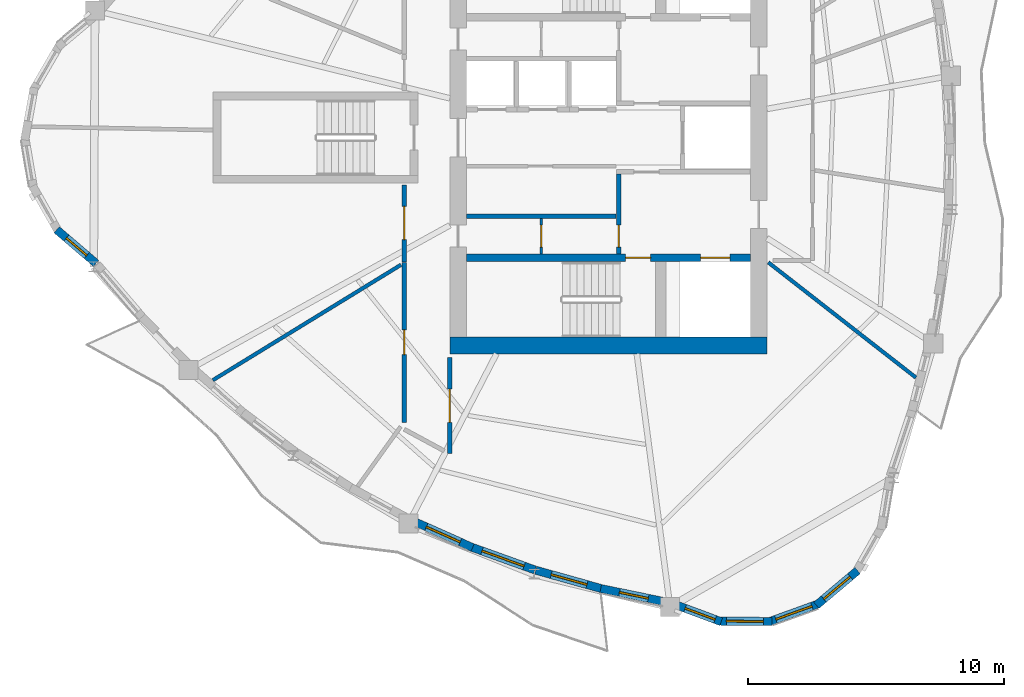
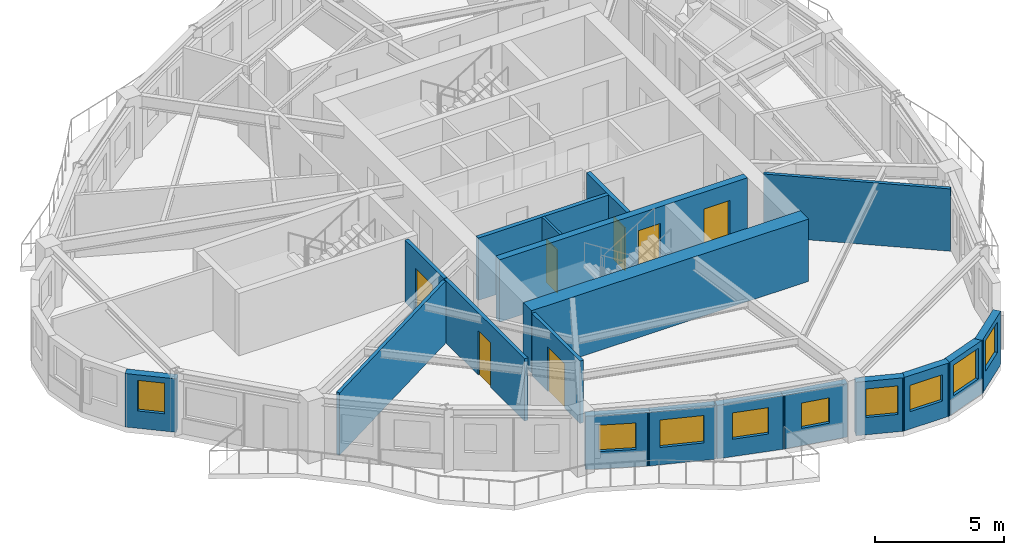
# One storey, part 3 of 12: 19 walls, 9 windows, 7 doors, 16 openings.
"""IFC4 building model written with IfcOpenShell, lengths in metres."""

from ifc_helpers import new_model, si_unit, direction, frame, frame_2d, origin, place, context, subcontext, project, spatial, rectangle, extrude, source, transform, mapped, material, layer, layer_set, type_object, element, fill, save


model = new_model("IFC4")

# Units and contexts
model_context = context("Model", 3, precision=1e-05, world=origin(), true_north=direction((0.0, 1.0)))
body_context = subcontext(model_context, "Body", "Model", "MODEL_VIEW")
ifc_project = project(units=[si_unit("LENGTHUNIT", "METRE"), si_unit("AREAUNIT", "SQUARE_METRE"), si_unit("VOLUMEUNIT", "CUBIC_METRE"), si_unit("PLANEANGLEUNIT", "RADIAN"), si_unit("MASSUNIT", "GRAM", prefix="KILO")], contexts=[model_context])

# Site, building, storey
site_placement = place(None, origin())
site = spatial("IfcSite", under=ifc_project, at=site_placement, CompositionType="ELEMENT")
building_placement = place(site_placement, origin())
building = spatial("IfcBuilding", under=site, at=building_placement, Name="Qafzar Sky-Pleat Residences", CompositionType="ELEMENT")
storey_placement = place(building_placement, frame((0.0, 0.0, 177.800048828125)))
storey = spatial("IfcBuildingStorey", under=building, at=storey_placement, Name="L53", CompositionType="ELEMENT", Elevation=177.800048828125)

# Wall, opening, door
ifc_material_1 = material(Name="Acoustic gypsum plasterboard partition", Category="gypsum")
ifc_layer_1 = layer(ifc_material_1, 0.159912109375)
ifc_layer_set_1 = layer_set([ifc_layer_1], Name="Acoustic gypsum plasterboard partition")
wall_type_1 = type_object("IfcWallType", Name="PART-COR-160", PredefinedType="PARTITIONING", material=ifc_layer_set_1)
wall_1_placement = place(storey_placement, frame((22.3701171875, 14.87109375, 0.0), z_axis=(0.0, 0.0, 1.0), x_axis=(0.0, 1.0, 0.0)))
wall_1 = element("IfcWall", 1, at=wall_1_placement, inside=storey, type_object=wall_type_1, Name="L53 Partition Wall PART-L53-PW-001", PredefinedType="PARTITIONING", context=body_context, shape_type="SweptSolid", body=[
    extrude(rectangle(XDim=6.251953125, YDim=0.159912109375, at=frame_2d((3.1259765625, 0.0))), origin(), (0.0, 0.0, 1.0), 2.949951171875),
])
opening_1_placement = place(wall_1_placement, frame((2.64990234375, 0.0, 0.0)))
opening_1 = element("IfcOpeningElement", 2, at=opening_1_placement, cuts=wall_1, Name="Opening ID-06", PredefinedType="OPENING", context=body_context, shape_type="SweptSolid", body=[
    extrude(rectangle(XDim=0.9599609375, YDim=2.10009765625, at=frame_2d((0.47998046875, 1.050048828125))), frame((0.0, 0.08984375, 0.0), z_axis=(0.0, -1.0, 0.0), x_axis=(1.0, 0.0, 0.0)), (0.0, 0.0, 1.0), 0.179931640625),
])
ifc_material_2 = material(Name="Timber-faced fire door", Category="wood")
door_type_1 = type_object("IfcDoorType", Name="DR-STD-960", OperationType="NOTDEFINED", PredefinedType="DOOR", material=ifc_material_2)
shared_shape_1 = source(origin(), body_context, "Body", "SweptSolid", [
    extrude(rectangle(XDim=0.9599609375, YDim=2.10009765625, at=frame_2d((0.47998046875, 1.050048828125))), frame((0.0, 0.02490234375, 0.0), z_axis=(0.0, -1.0, 0.0), x_axis=(1.0, 0.0, 0.0)), (0.0, 0.0, 1.0), 0.050048828125),
])
door_1_placement = place(opening_1_placement, origin())
door_1 = element("IfcDoor", 3, at=door_1_placement, inside=storey, type_object=door_type_1, Name="L53 Reading Library Door", OperationType="SINGLE_SWING_LEFT", OverallHeight=2.10009765625, OverallWidth=0.9599609375, PredefinedType="DOOR", context=body_context, shape_type="MappedRepresentation", body=[
    mapped(shared_shape_1, transform((0.0, 0.0, 0.0), x_axis=(1.0, 0.0, 0.0), y_axis=(0.0, 1.0, 0.0), z_axis=(0.0, 0.0, 1.0), scale=1.0)),
])
fill(opening_1, door_1)

wall_2_placement = place(storey_placement, frame((24.14990234375, 17.39892578125, 0.0), z_axis=(0.0, 0.0, 1.0), x_axis=(0.0, -1.0, 0.0)))
wall_2 = element("IfcWall", 4, at=wall_2_placement, inside=storey, type_object=wall_type_1, Name="L53 Partition Wall PART-L53-PW-006", PredefinedType="PARTITIONING", context=body_context, shape_type="SweptSolid", body=[
    extrude(rectangle(XDim=3.741943359375, YDim=0.159912109375, at=frame_2d((1.87109375, 0.0))), origin(), (0.0, 0.0, 1.0), 2.949951171875),
])
opening_2_placement = place(wall_2_placement, frame((1.23388671875, 0.0, 0.0)))
opening_2 = element("IfcOpeningElement", 5, at=opening_2_placement, cuts=wall_2, Name="Opening ID-05", PredefinedType="OPENING", context=body_context, shape_type="SweptSolid", body=[
    extrude(rectangle(XDim=1.300048828125, YDim=2.10009765625, at=frame_2d((0.64990234375, 1.050048828125))), frame((0.0, 0.08984375, 0.0), z_axis=(0.0, -1.0, 0.0), x_axis=(1.0, 0.0, 0.0)), (0.0, 0.0, 1.0), 0.179931640625),
])
door_type_2 = type_object("IfcDoorType", Name="DR-LNG-1300", OperationType="DOUBLE_DOOR_SINGLE_SWING", PredefinedType="DOOR", material=ifc_material_2)
shared_shape_2 = source(origin(), body_context, "Body", "SweptSolid", [
    extrude(rectangle(XDim=1.300048828125, YDim=2.10009765625, at=frame_2d((0.64990234375, 1.050048828125))), frame((0.0, 0.02490234375, 0.0), z_axis=(0.0, -1.0, 0.0), x_axis=(1.0, 0.0, 0.0)), (0.0, 0.0, 1.0), 0.050048828125),
])
door_2_placement = place(opening_2_placement, origin())
door_2 = element("IfcDoor", 6, at=door_2_placement, inside=storey, type_object=door_type_2, Name="L53 Academic Seminar Room Door", OperationType="DOUBLE_DOOR_SINGLE_SWING", OverallHeight=2.10009765625, OverallWidth=1.300048828125, PredefinedType="DOOR", context=body_context, shape_type="MappedRepresentation", body=[
    mapped(shared_shape_2, transform((0.0, 0.0, 0.0), x_axis=(1.0, 0.0, 0.0), y_axis=(0.0, 1.0, 0.0), z_axis=(0.0, 0.0, 1.0), scale=1.0)),
])
fill(opening_2, door_2)

wall_3_placement = place(storey_placement, frame((22.3701171875, 21.137939453125, 0.0), z_axis=(0.0, 0.0, 1.0), x_axis=(0.0, 1.0, 0.0)))
wall_3 = element("IfcWall", 7, at=wall_3_placement, inside=storey, type_object=wall_type_1, Name="L53 Partition Wall PART-L53-PW-009", PredefinedType="PARTITIONING", context=body_context, shape_type="SweptSolid", body=[
    extrude(rectangle(XDim=3.011962890625, YDim=0.159912109375, at=frame_2d((1.505859375, 0.0))), origin(), (0.0, 0.0, 1.0), 2.949951171875),
])
opening_3_placement = place(wall_3_placement, frame((0.87744140625, 0.0, 0.0)))
opening_3 = element("IfcOpeningElement", 8, at=opening_3_placement, cuts=wall_3, Name="Opening ID-05", PredefinedType="OPENING", context=body_context, shape_type="SweptSolid", body=[
    extrude(rectangle(XDim=1.300048828125, YDim=2.10009765625, at=frame_2d((0.64990234375, 1.050048828125))), frame((0.0, 0.08984375, 0.0), z_axis=(0.0, -1.0, 0.0), x_axis=(1.0, 0.0, 0.0)), (0.0, 0.0, 1.0), 0.179931640625),
])
door_3_placement = place(opening_3_placement, origin())
door_3 = element("IfcDoor", 9, at=door_3_placement, inside=storey, type_object=door_type_2, Name="L53 Tutorial Huddle Room Door", OperationType="DOUBLE_DOOR_SINGLE_SWING", OverallHeight=2.10009765625, OverallWidth=1.300048828125, PredefinedType="DOOR", context=body_context, shape_type="MappedRepresentation", body=[
    mapped(shared_shape_2, transform((0.0, 0.0, 0.0), x_axis=(1.0, 0.0, 0.0), y_axis=(0.0, 1.0, 0.0), z_axis=(0.0, 0.0, 1.0), scale=1.0)),
])
fill(opening_3, door_3)

ifc_material_3 = material(Name="Concrete blockwork partition", Category="masonry")
ifc_layer_2 = layer(ifc_material_3, 0.179931640625)
ifc_layer_set_2 = layer_set([ifc_layer_2], Name="Concrete blockwork partition")
wall_type_2 = type_object("IfcWallType", Name="PART-SHAFT-180", PredefinedType="PARTITIONING", material=ifc_layer_set_2)
wall_4_placement = place(storey_placement, frame((30.75, 21.4599609375, 0.0), z_axis=(0.0, 0.0, 1.0), x_axis=(0.0, 1.0, 0.0)))
wall_4 = element("IfcWall", 10, at=wall_4_placement, inside=storey, type_object=wall_type_2, Name="L53 Partition Wall PART-L53-FFL1-W", PredefinedType="PARTITIONING", context=body_context, shape_type="SweptSolid", body=[
    extrude(rectangle(XDim=3.110107421875, YDim=0.179931640625, at=frame_2d((1.55517578125, 0.0))), origin(), (0.0, 0.0, 1.0), 2.949951171875),
])
opening_4_placement = place(wall_4_placement, frame((0.260009765625, 0.0, 0.0)))
opening_4 = element("IfcOpeningElement", 11, at=opening_4_placement, cuts=wall_4, Name="Opening ID-09", PredefinedType="OPENING", context=body_context, shape_type="SweptSolid", body=[
    extrude(rectangle(XDim=0.860107421875, YDim=2.050048828125, at=frame_2d((0.43017578125, 1.02490234375))), frame((0.0, 0.10009765625, 0.0), z_axis=(0.0, -1.0, 0.0), x_axis=(1.0, 0.0, 0.0)), (0.0, 0.0, 1.0), 0.199951171875),
])
door_type_3 = type_object("IfcDoorType", Name="DR-SVC-860", OperationType="NOTDEFINED", PredefinedType="DOOR", material=ifc_material_2)
shared_shape_3 = source(origin(), body_context, "Body", "SweptSolid", [
    extrude(rectangle(XDim=0.860107421875, YDim=2.050048828125, at=frame_2d((0.43017578125, 1.02490234375))), frame((0.0, 0.02490234375, 0.0), z_axis=(0.0, -1.0, 0.0), x_axis=(1.0, 0.0, 0.0)), (0.0, 0.0, 1.0), 0.050048828125),
])
door_4_placement = place(opening_4_placement, origin())
door_4 = element("IfcDoor", 12, at=door_4_placement, inside=storey, type_object=door_type_3, Name="L53 South Core Cupboard Door", OperationType="SINGLE_SWING_RIGHT", OverallHeight=2.050048828125, OverallWidth=0.860107421875, PredefinedType="DOOR", context=body_context, shape_type="MappedRepresentation", body=[
    mapped(shared_shape_3, transform((0.0, 0.0, 0.0), x_axis=(1.0, 0.0, 0.0), y_axis=(0.0, 1.0, 0.0), z_axis=(0.0, 0.0, 1.0), scale=1.0)),
])
fill(opening_4, door_4)

# Wall
wall_5_placement = place(storey_placement, frame((24.81005859375, 22.919921875, 0.0), z_axis=(0.0, 0.0, 1.0), x_axis=(1.0, 0.0, 0.0)))
element("IfcWall", 13, at=wall_5_placement, inside=storey, type_object=wall_type_2, Name="L53 Partition Wall PART-L53-P13-S", PredefinedType="PARTITIONING", context=body_context, shape_type="SweptSolid", body=[
    extrude(rectangle(XDim=5.83984375, YDim=0.179931640625, at=frame_2d((2.919921875, 0.0))), origin(), (0.0, 0.0, 1.0), 2.949951171875),
])

# Wall, opening, door
ifc_material_4 = material(Name="Gypsum plasterboard partition", Category="gypsum")
ifc_layer_3 = layer(ifc_material_4, 0.114990234375)
ifc_layer_set_3 = layer_set([ifc_layer_3], Name="Gypsum plasterboard partition")
wall_type_3 = type_object("IfcWallType", Name="PART-SVC-115", PredefinedType="PARTITIONING", material=ifc_layer_set_3)
wall_6_placement = place(storey_placement, frame((27.72509765625, 21.4599609375, 0.0), z_axis=(0.0, 0.0, 1.0), x_axis=(0.0, 1.0, 0.0)))
wall_6 = element("IfcWall", 14, at=wall_6_placement, inside=storey, type_object=wall_type_3, Name="L53 Partition Wall PART-L53-KB-SW", PredefinedType="PARTITIONING", context=body_context, shape_type="SweptSolid", body=[
    extrude(rectangle(XDim=1.380126953125, YDim=0.114990234375, at=frame_2d((0.68994140625, 0.0))), origin(), (0.0, 0.0, 1.0), 2.949951171875),
])
opening_5_placement = place(wall_6_placement, frame((0.260009765625, 0.0, 0.0)))
opening_5 = element("IfcOpeningElement", 15, at=opening_5_placement, cuts=wall_6, Name="Opening ID-09", PredefinedType="OPENING", context=body_context, shape_type="SweptSolid", body=[
    extrude(rectangle(XDim=0.860107421875, YDim=2.050048828125, at=frame_2d((0.43017578125, 1.02490234375))), frame((0.0, 0.0673828125, 0.0), z_axis=(0.0, -1.0, 0.0), x_axis=(1.0, 0.0, 0.0)), (0.0, 0.0, 1.0), 0.135009765625),
])
door_5_placement = place(opening_5_placement, origin())
door_5 = element("IfcDoor", 16, at=door_5_placement, inside=storey, type_object=door_type_3, Name="L53 BMS Metering Cupboard Door", OperationType="SINGLE_SWING_LEFT", OverallHeight=2.050048828125, OverallWidth=0.860107421875, PredefinedType="DOOR", context=body_context, shape_type="MappedRepresentation", body=[
    mapped(shared_shape_3, transform((0.0, 0.0, 0.0), x_axis=(1.0, 0.0, 0.0), y_axis=(0.0, 1.0, 0.0), z_axis=(0.0, 0.0, 1.0), scale=1.0)),
])
fill(opening_5, door_5)

# Walls
ifc_layer_4 = layer(ifc_material_1, 0.14501953125)
ifc_layer_set_4 = layer_set([ifc_layer_4], Name="Acoustic gypsum plasterboard partition")
wall_type_4 = type_object("IfcWallType", Name="PART-UNIT-145", PredefinedType="PARTITIONING", material=ifc_layer_set_4)
wall_7_placement = place(storey_placement, frame((14.89013671875, 16.518798828125, 0.0), z_axis=(0.0, 0.0, 1.0), x_axis=(0.852461734542, 0.522789624171, 0.0)))
element("IfcWall", 17, at=wall_7_placement, inside=storey, type_object=wall_type_4, Name="L53 Partition Wall PART-L53-PW-014", PredefinedType="PARTITIONING", context=body_context, shape_type="SweptSolid", body=[
    extrude(rectangle(XDim=8.628173828125, YDim=0.14501953125, at=frame_2d((4.31396484375, 0.0))), origin(), (0.0, 0.0, 1.0), 2.949951171875),
])
wall_8_placement = place(storey_placement, frame((36.600830078125, 21.121337890625, 0.0), z_axis=(0.0, 0.0, 1.0), x_axis=(0.788361177129, -0.615212690372, 0.0)))
element("IfcWall", 18, at=wall_8_placement, inside=storey, type_object=wall_type_4, Name="L53 Partition Wall PART-L53-PW-016", PredefinedType="PARTITIONING", context=body_context, shape_type="SweptSolid", body=[
    extrude(rectangle(XDim=7.31640625, YDim=0.14501953125, at=frame_2d((3.658203125, 0.0))), origin(), (0.0, 0.0, 1.0), 2.949951171875),
])

# Wall, opening, window
ifc_material_5 = material(Name="Precast concrete C40/50 with honed Riyadh limestone", Category="concrete")
ifc_layer_5 = layer(ifc_material_5, 0.320068359375)
ifc_layer_set_5 = layer_set([ifc_layer_5], Name="Precast concrete C40/50 with honed Riyadh limestone")
wall_type_5 = type_object("IfcWallType", Name="WALL-EXT-320", PredefinedType="SOLIDWALL", material=ifc_layer_set_5)
wall_9_placement = place(storey_placement, frame((8.785400390625, 22.3984375, 0.0), z_axis=(0.0, 0.0, 1.0), x_axis=(0.760269373804, -0.649607942728, 0.0)))
wall_9 = element("IfcWall", 19, at=wall_9_placement, inside=storey, type_object=wall_type_5, Name="L53 Limestone Facade Wall 6", PredefinedType="SOLIDWALL", context=body_context, shape_type="SweptSolid", body=[
    extrude(rectangle(XDim=2.023193359375, YDim=0.320068359375, at=frame_2d((1.01171875, 0.0))), origin(), (0.0, 0.0, 1.0), 2.530029296875),
])
opening_6_placement = place(wall_9_placement, frame((0.49658203125, 0.0, 0.820068359375)))
opening_6 = element("IfcOpeningElement", 20, at=opening_6_placement, cuts=wall_9, Name="Opening WN-06", PredefinedType="OPENING", context=body_context, shape_type="SweptSolid", body=[
    extrude(rectangle(XDim=1.050048828125, YDim=1.449951171875, at=frame_2d((0.52490234375, 0.72509765625))), frame((0.0, 0.169921875, 0.0), z_axis=(0.0, -1.0, 0.0), x_axis=(1.0, 0.0, 0.0)), (0.0, 0.0, 1.0), 0.340087890625),
])
ifc_material_6 = material(Name="Solar-control low-E glass in bronze aluminium frame", Category="glass")
window_type_1 = type_object("IfcWindowType", Name="WIN-06", PartitioningType="SINGLE_PANEL", PredefinedType="WINDOW", material=ifc_material_6)
shared_shape_4 = source(origin(), body_context, "Body", "SweptSolid", [
    extrude(rectangle(XDim=1.050048828125, YDim=1.449951171875, at=frame_2d((0.52490234375, 0.72509765625))), frame((0.0, 0.030029296875, 0.0), z_axis=(0.0, -1.0, 0.0), x_axis=(1.0, 0.0, 0.0)), (0.0, 0.0, 1.0), 0.06005859375),
])
window_1_placement = place(opening_6_placement, origin())
window_1 = element("IfcWindow", 21, at=window_1_placement, inside=storey, type_object=window_type_1, Name="L53 Punched Facade Window 06", OverallHeight=1.449951171875, OverallWidth=1.050048828125, PartitioningType="SINGLE_PANEL", PredefinedType="WINDOW", context=body_context, shape_type="MappedRepresentation", body=[
    mapped(shared_shape_4, transform((0.0, 0.0, 0.0), x_axis=(1.0, 0.0, 0.0), y_axis=(0.0, 1.0, 0.0), z_axis=(0.0, 0.0, 1.0), scale=1.0)),
])
fill(opening_6, window_1)

wall_10_placement = place(storey_placement, frame((22.754150390625, 10.994384765625, 0.0), z_axis=(0.0, 0.0, 1.0), x_axis=(0.913187742102, -0.407539136372, 0.0)))
wall_10 = element("IfcWall", 22, at=wall_10_placement, inside=storey, type_object=wall_type_5, Name="L53 Limestone Facade Wall 13", PredefinedType="SOLIDWALL", context=body_context, shape_type="SweptSolid", body=[
    extrude(rectangle(XDim=2.505859375, YDim=0.320068359375, at=frame_2d((1.2529296875, 0.0))), origin(), (0.0, 0.0, 1.0), 2.530029296875),
])
opening_7_placement = place(wall_10_placement, frame((0.52294921875, 0.0, 0.820068359375)))
opening_7 = element("IfcOpeningElement", 23, at=opening_7_placement, cuts=wall_10, Name="Opening WN-15", PredefinedType="OPENING", context=body_context, shape_type="SweptSolid", body=[
    extrude(rectangle(XDim=1.449951171875, YDim=1.25, at=frame_2d((0.72509765625, 0.625))), frame((0.0, 0.169921875, 0.0), z_axis=(0.0, -1.0, 0.0), x_axis=(1.0, 0.0, 0.0)), (0.0, 0.0, 1.0), 0.340087890625),
])
window_type_2 = type_object("IfcWindowType", Name="WIN-15", PartitioningType="SINGLE_PANEL", PredefinedType="WINDOW", material=ifc_material_6)
shared_shape_5 = source(origin(), body_context, "Body", "SweptSolid", [
    extrude(rectangle(XDim=1.449951171875, YDim=1.25, at=frame_2d((0.72509765625, 0.625))), frame((0.0, 0.030029296875, 0.0), z_axis=(0.0, -1.0, 0.0), x_axis=(1.0, 0.0, 0.0)), (0.0, 0.0, 1.0), 0.06005859375),
])
window_2_placement = place(opening_7_placement, origin())
window_2 = element("IfcWindow", 24, at=window_2_placement, inside=storey, type_object=window_type_2, Name="L53 Punched Facade Window 13", OverallHeight=1.25, OverallWidth=1.449951171875, PartitioningType="SINGLE_PANEL", PredefinedType="WINDOW", context=body_context, shape_type="MappedRepresentation", body=[
    mapped(shared_shape_5, transform((0.0, 0.0, 0.0), x_axis=(1.0, 0.0, 0.0), y_axis=(0.0, 1.0, 0.0), z_axis=(0.0, 0.0, 1.0), scale=1.0)),
])
fill(opening_7, window_2)

wall_11_placement = place(storey_placement, frame((24.9609375, 10.005859375, 0.0), z_axis=(0.0, 0.0, 1.0), x_axis=(0.940902502747, -0.338677546236, 0.0)))
wall_11 = element("IfcWall", 25, at=wall_11_placement, inside=storey, type_object=wall_type_5, Name="L53 Limestone Facade Wall 14", PredefinedType="SOLIDWALL", context=body_context, shape_type="SweptSolid", body=[
    extrude(rectangle(XDim=2.680908203125, YDim=0.320068359375, at=frame_2d((1.34033203125, 0.0))), origin(), (0.0, 0.0, 1.0), 2.530029296875),
])
opening_8_placement = place(wall_11_placement, frame((0.475341796875, 0.0, 0.820068359375)))
opening_8 = element("IfcOpeningElement", 26, at=opening_8_placement, cuts=wall_11, Name="Opening WN-14", PredefinedType="OPENING", context=body_context, shape_type="SweptSolid", body=[
    extrude(rectangle(XDim=1.75, YDim=1.300048828125, at=frame_2d((0.875, 0.64990234375))), frame((0.0, 0.169921875, 0.0), z_axis=(0.0, -1.0, 0.0), x_axis=(1.0, 0.0, 0.0)), (0.0, 0.0, 1.0), 0.340087890625),
])
window_type_3 = type_object("IfcWindowType", Name="WIN-14", PartitioningType="DOUBLE_PANEL_VERTICAL", PredefinedType="WINDOW", material=ifc_material_6)
shared_shape_6 = source(origin(), body_context, "Body", "SweptSolid", [
    extrude(rectangle(XDim=1.75, YDim=1.300048828125, at=frame_2d((0.875, 0.64990234375))), frame((0.0, 0.030029296875, 0.0), z_axis=(0.0, -1.0, 0.0), x_axis=(1.0, 0.0, 0.0)), (0.0, 0.0, 1.0), 0.06005859375),
])
window_3_placement = place(opening_8_placement, origin())
window_3 = element("IfcWindow", 27, at=window_3_placement, inside=storey, type_object=window_type_3, Name="L53 Punched Facade Window 14", OverallHeight=1.300048828125, OverallWidth=1.75, PartitioningType="SINGLE_PANEL", PredefinedType="WINDOW", context=body_context, shape_type="MappedRepresentation", body=[
    mapped(shared_shape_6, transform((0.0, 0.0, 0.0), x_axis=(1.0, 0.0, 0.0), y_axis=(0.0, 1.0, 0.0), z_axis=(0.0, 0.0, 1.0), scale=1.0)),
])
fill(opening_8, window_3)

wall_12_placement = place(storey_placement, frame((27.510498046875, 9.08935546875, 0.0), z_axis=(0.0, 0.0, 1.0), x_axis=(0.962851346879, -0.270032005164, 0.0)))
wall_12 = element("IfcWall", 28, at=wall_12_placement, inside=storey, type_object=wall_type_5, Name="L53 Limestone Facade Wall 15", PredefinedType="SOLIDWALL", context=body_context, shape_type="SweptSolid", body=[
    extrude(rectangle(XDim=2.72509765625, YDim=0.320068359375, at=frame_2d((1.362548828125, 0.0))), origin(), (0.0, 0.0, 1.0), 2.530029296875),
])
opening_9_placement = place(wall_12_placement, frame((0.62744140625, 0.0, 0.820068359375)))
opening_9 = element("IfcOpeningElement", 29, at=opening_9_placement, cuts=wall_12, Name="Opening WN-15", PredefinedType="OPENING", context=body_context, shape_type="SweptSolid", body=[
    extrude(rectangle(XDim=1.449951171875, YDim=1.25, at=frame_2d((0.72509765625, 0.625))), frame((0.0, 0.169921875, 0.0), z_axis=(0.0, -1.0, 0.0), x_axis=(1.0, 0.0, 0.0)), (0.0, 0.0, 1.0), 0.340087890625),
])
window_4_placement = place(opening_9_placement, origin())
window_4 = element("IfcWindow", 30, at=window_4_placement, inside=storey, type_object=window_type_2, Name="L53 Punched Facade Window 15", OverallHeight=1.25, OverallWidth=1.449951171875, PartitioningType="SINGLE_PANEL", PredefinedType="WINDOW", context=body_context, shape_type="MappedRepresentation", body=[
    mapped(shared_shape_5, transform((0.0, 0.0, 0.0), x_axis=(1.0, 0.0, 0.0), y_axis=(0.0, 1.0, 0.0), z_axis=(0.0, 0.0, 1.0), scale=1.0)),
])
fill(opening_9, window_4)

wall_13_placement = place(storey_placement, frame((30.049560546875, 8.374267578125, 0.0), z_axis=(0.0, 0.0, 1.0), x_axis=(0.979318634508, -0.202324027505, 0.0)))
wall_13 = element("IfcWall", 31, at=wall_13_placement, inside=storey, type_object=wall_type_5, Name="L53 Limestone Facade Wall 16", PredefinedType="SOLIDWALL", context=body_context, shape_type="SweptSolid", body=[
    extrude(rectangle(XDim=2.6376953125, YDim=0.320068359375, at=frame_2d((1.31884765625, 0.0))), origin(), (0.0, 0.0, 1.0), 2.530029296875),
])
opening_10_placement = place(wall_13_placement, frame((0.748779296875, 0.0, 0.820068359375)))
opening_10 = element("IfcOpeningElement", 32, at=opening_10_placement, cuts=wall_13, Name="Opening WN-16", PredefinedType="OPENING", context=body_context, shape_type="SweptSolid", body=[
    extrude(rectangle(XDim=1.14990234375, YDim=1.199951171875, at=frame_2d((0.574951171875, 0.60009765625))), frame((0.0, 0.169921875, 0.0), z_axis=(0.0, -1.0, 0.0), x_axis=(1.0, 0.0, 0.0)), (0.0, 0.0, 1.0), 0.340087890625),
])
window_type_4 = type_object("IfcWindowType", Name="WIN-16", PartitioningType="SINGLE_PANEL", PredefinedType="WINDOW", material=ifc_material_6)
shared_shape_7 = source(origin(), body_context, "Body", "SweptSolid", [
    extrude(rectangle(XDim=1.14990234375, YDim=1.199951171875, at=frame_2d((0.574951171875, 0.60009765625))), frame((0.0, 0.030029296875, 0.0), z_axis=(0.0, -1.0, 0.0), x_axis=(1.0, 0.0, 0.0)), (0.0, 0.0, 1.0), 0.06005859375),
])
window_5_placement = place(opening_10_placement, origin())
window_5 = element("IfcWindow", 33, at=window_5_placement, inside=storey, type_object=window_type_4, Name="L53 Punched Facade Window 16", OverallHeight=1.199951171875, OverallWidth=1.14990234375, PartitioningType="SINGLE_PANEL", PredefinedType="WINDOW", context=body_context, shape_type="MappedRepresentation", body=[
    mapped(shared_shape_7, transform((0.0, 0.0, 0.0), x_axis=(1.0, 0.0, 0.0), y_axis=(0.0, 1.0, 0.0), z_axis=(0.0, 0.0, 1.0), scale=1.0)),
])
fill(opening_10, window_5)

wall_14_placement = place(storey_placement, frame((32.972412109375, 7.74267578125, 0.0), z_axis=(0.0, 0.0, 1.0), x_axis=(0.93690697627, -0.349578771977, 0.0)))
wall_14 = element("IfcWall", 34, at=wall_14_placement, inside=storey, type_object=wall_type_5, Name="L53 Limestone Facade Wall 17", PredefinedType="SOLIDWALL", context=body_context, shape_type="SweptSolid", body=[
    extrude(rectangle(XDim=1.906005859375, YDim=0.320068359375, at=frame_2d((0.953125, 0.0))), origin(), (0.0, 0.0, 1.0), 2.530029296875),
])
opening_11_placement = place(wall_14_placement, frame((0.40283203125, 0.0, 0.820068359375)))
opening_11 = element("IfcOpeningElement", 35, at=opening_11_placement, cuts=wall_14, Name="Opening WN-11", PredefinedType="OPENING", context=body_context, shape_type="SweptSolid", body=[
    extrude(rectangle(XDim=1.25, YDim=1.35009765625, at=frame_2d((0.625, 0.675048828125))), frame((0.0, 0.169921875, 0.0), z_axis=(0.0, -1.0, 0.0), x_axis=(1.0, 0.0, 0.0)), (0.0, 0.0, 1.0), 0.340087890625),
])
window_type_5 = type_object("IfcWindowType", Name="WIN-11", PartitioningType="SINGLE_PANEL", PredefinedType="WINDOW", material=ifc_material_6)
shared_shape_8 = source(origin(), body_context, "Body", "SweptSolid", [
    extrude(rectangle(XDim=1.25, YDim=1.35009765625, at=frame_2d((0.625, 0.675048828125))), frame((0.0, 0.030029296875, 0.0), z_axis=(0.0, -1.0, 0.0), x_axis=(1.0, 0.0, 0.0)), (0.0, 0.0, 1.0), 0.06005859375),
])
window_6_placement = place(opening_11_placement, origin())
window_6 = element("IfcWindow", 36, at=window_6_placement, inside=storey, type_object=window_type_5, Name="L53 Punched Facade Window 17", OverallHeight=1.35009765625, OverallWidth=1.25, PartitioningType="SINGLE_PANEL", PredefinedType="WINDOW", context=body_context, shape_type="MappedRepresentation", body=[
    mapped(shared_shape_8, transform((0.0, 0.0, 0.0), x_axis=(1.0, 0.0, 0.0), y_axis=(0.0, 1.0, 0.0), z_axis=(0.0, 0.0, 1.0), scale=1.0)),
])
fill(opening_11, window_6)

wall_15_placement = place(storey_placement, frame((34.62939453125, 7.099853515625, 0.0), z_axis=(0.0, 0.0, 1.0), x_axis=(0.9999881768, -0.004862742089, 0.0)))
wall_15 = element("IfcWall", 37, at=wall_15_placement, inside=storey, type_object=wall_type_5, Name="L53 Limestone Facade Wall 18", PredefinedType="SOLIDWALL", context=body_context, shape_type="SweptSolid", body=[
    extrude(rectangle(XDim=2.108642578125, YDim=0.320068359375, at=frame_2d((1.05419921875, 0.0))), origin(), (0.0, 0.0, 1.0), 2.530029296875),
])
opening_12_placement = place(wall_15_placement, frame((0.329345703125, 0.0, 0.820068359375)))
opening_12 = element("IfcOpeningElement", 38, at=opening_12_placement, cuts=wall_15, Name="Opening WN-15", PredefinedType="OPENING", context=body_context, shape_type="SweptSolid", body=[
    extrude(rectangle(XDim=1.449951171875, YDim=1.25, at=frame_2d((0.72509765625, 0.625))), frame((0.0, 0.169921875, 0.0), z_axis=(0.0, -1.0, 0.0), x_axis=(1.0, 0.0, 0.0)), (0.0, 0.0, 1.0), 0.340087890625),
])
window_7_placement = place(opening_12_placement, origin())
window_7 = element("IfcWindow", 39, at=window_7_placement, inside=storey, type_object=window_type_2, Name="L53 Punched Facade Window 18", OverallHeight=1.25, OverallWidth=1.449951171875, PartitioningType="SINGLE_PANEL", PredefinedType="WINDOW", context=body_context, shape_type="MappedRepresentation", body=[
    mapped(shared_shape_5, transform((0.0, 0.0, 0.0), x_axis=(1.0, 0.0, 0.0), y_axis=(0.0, 1.0, 0.0), z_axis=(0.0, 0.0, 1.0), scale=1.0)),
])
fill(opening_12, window_7)

wall_16_placement = place(storey_placement, frame((36.60888671875, 7.0673828125, 0.0), z_axis=(0.0, 0.0, 1.0), x_axis=(0.940255626786, 0.340469317702, 0.0)))
wall_16 = element("IfcWall", 40, at=wall_16_placement, inside=storey, type_object=wall_type_5, Name="L53 Limestone Facade Wall 19", PredefinedType="SOLIDWALL", context=body_context, shape_type="SweptSolid", body=[
    extrude(rectangle(XDim=2.10888671875, YDim=0.320068359375, at=frame_2d((1.054443359375, 0.0))), origin(), (0.0, 0.0, 1.0), 2.530029296875),
])
opening_13_placement = place(wall_16_placement, frame((0.304443359375, 0.0, 0.820068359375)))
opening_13 = element("IfcOpeningElement", 41, at=opening_13_placement, cuts=wall_16, Name="Opening WN-03", PredefinedType="OPENING", context=body_context, shape_type="SweptSolid", body=[
    extrude(rectangle(XDim=1.5, YDim=1.449951171875, at=frame_2d((0.75, 0.72509765625))), frame((0.0, 0.169921875, 0.0), z_axis=(0.0, -1.0, 0.0), x_axis=(1.0, 0.0, 0.0)), (0.0, 0.0, 1.0), 0.340087890625),
])
window_type_6 = type_object("IfcWindowType", Name="WIN-03", PartitioningType="DOUBLE_PANEL_VERTICAL", PredefinedType="WINDOW", material=ifc_material_6)
shared_shape_9 = source(origin(), body_context, "Body", "SweptSolid", [
    extrude(rectangle(XDim=1.5, YDim=1.449951171875, at=frame_2d((0.75, 0.72509765625))), frame((0.0, 0.030029296875, 0.0), z_axis=(0.0, -1.0, 0.0), x_axis=(1.0, 0.0, 0.0)), (0.0, 0.0, 1.0), 0.06005859375),
])
window_8_placement = place(opening_13_placement, origin())
window_8 = element("IfcWindow", 42, at=window_8_placement, inside=storey, type_object=window_type_6, Name="L53 Punched Facade Window 19", OverallHeight=1.449951171875, OverallWidth=1.5, PartitioningType="SINGLE_PANEL", PredefinedType="WINDOW", context=body_context, shape_type="MappedRepresentation", body=[
    mapped(shared_shape_9, transform((0.0, 0.0, 0.0), x_axis=(1.0, 0.0, 0.0), y_axis=(0.0, 1.0, 0.0), z_axis=(0.0, 0.0, 1.0), scale=1.0)),
])
fill(opening_13, window_8)

wall_17_placement = place(storey_placement, frame((38.478515625, 7.719970703125, 0.0), z_axis=(0.0, 0.0, 1.0), x_axis=(0.76506129474, 0.643957463883, 0.0)))
wall_17 = element("IfcWall", 43, at=wall_17_placement, inside=storey, type_object=wall_type_5, Name="L53 Limestone Facade Wall 20", PredefinedType="SOLIDWALL", context=body_context, shape_type="SweptSolid", body=[
    extrude(rectangle(XDim=2.108642578125, YDim=0.320068359375, at=frame_2d((1.05419921875, 0.0))), origin(), (0.0, 0.0, 1.0), 2.530029296875),
])
opening_14_placement = place(wall_17_placement, frame((0.37939453125, 0.0, 0.820068359375)))
opening_14 = element("IfcOpeningElement", 44, at=opening_14_placement, cuts=wall_17, Name="Opening WN-04", PredefinedType="OPENING", context=body_context, shape_type="SweptSolid", body=[
    extrude(rectangle(XDim=1.35009765625, YDim=1.449951171875, at=frame_2d((0.675048828125, 0.72509765625))), frame((0.0, 0.169921875, 0.0), z_axis=(0.0, -1.0, 0.0), x_axis=(1.0, 0.0, 0.0)), (0.0, 0.0, 1.0), 0.340087890625),
])
window_type_7 = type_object("IfcWindowType", Name="WIN-04", PartitioningType="SINGLE_PANEL", PredefinedType="WINDOW", material=ifc_material_6)
shared_shape_10 = source(origin(), body_context, "Body", "SweptSolid", [
    extrude(rectangle(XDim=1.35009765625, YDim=1.449951171875, at=frame_2d((0.675048828125, 0.72509765625))), frame((0.0, 0.030029296875, 0.0), z_axis=(0.0, -1.0, 0.0), x_axis=(1.0, 0.0, 0.0)), (0.0, 0.0, 1.0), 0.06005859375),
])
window_9_placement = place(opening_14_placement, origin())
window_9 = element("IfcWindow", 45, at=window_9_placement, inside=storey, type_object=window_type_7, Name="L53 Punched Facade Window 20", OverallHeight=1.449951171875, OverallWidth=1.35009765625, PartitioningType="SINGLE_PANEL", PredefinedType="WINDOW", context=body_context, shape_type="MappedRepresentation", body=[
    mapped(shared_shape_10, transform((0.0, 0.0, 0.0), x_axis=(1.0, 0.0, 0.0), y_axis=(0.0, 1.0, 0.0), z_axis=(0.0, 0.0, 1.0), scale=1.0)),
])
fill(opening_14, window_9)

# Wall, openings, doors
ifc_material_7 = material(Name="Concrete C60/75", Category="concrete")
ifc_layer_6 = layer(ifc_material_7, 0.300048828125)
ifc_layer_set_6 = layer_set([ifc_layer_6], Name="Concrete C60/75")
wall_type_6 = type_object("IfcWallType", Name="WALL-SHEAR-300", PredefinedType="SHEAR", material=ifc_layer_set_6)
wall_18_placement = place(storey_placement, frame((24.800048828125, 21.300048828125, 0.0), z_axis=(0.0, 0.0, 1.0), x_axis=(1.0, 0.0, 0.0)))
wall_18 = element("IfcWall", 46, at=wall_18_placement, inside=storey, type_object=wall_type_6, Name="L53 Stair ST1 and FF1 Shaft North Wall", PredefinedType="SHEAR", context=body_context, shape_type="SweptSolid", body=[
    extrude(rectangle(XDim=11.099853515625, YDim=0.300048828125, at=frame_2d((5.5498046875, 0.0))), origin(), (0.0, 0.0, 1.0), 2.949951171875),
])
opening_15_placement = place(wall_18_placement, frame((6.219970703125, 0.0, 0.0)))
opening_15 = element("IfcOpeningElement", 47, at=opening_15_placement, cuts=wall_18, Name="Opening ID-01", PredefinedType="OPENING", context=body_context, shape_type="SweptSolid", body=[
    extrude(rectangle(XDim=0.97998046875, YDim=2.14990234375, at=frame_2d((0.489990234375, 1.074951171875))), frame((0.0, 0.16015625, 0.0), z_axis=(0.0, -1.0, 0.0), x_axis=(1.0, 0.0, 0.0)), (0.0, 0.0, 1.0), 0.320068359375),
])
opening_16_placement = place(wall_18_placement, frame((9.14990234375, 0.0, 0.0)))
opening_16 = element("IfcOpeningElement", 48, at=opening_16_placement, cuts=wall_18, Name="Opening LD-02", PredefinedType="OPENING", context=body_context, shape_type="SweptSolid", body=[
    extrude(rectangle(XDim=1.14990234375, YDim=2.14990234375, at=frame_2d((0.574951171875, 1.074951171875))), frame((0.0, 0.16015625, 0.0), z_axis=(0.0, -1.0, 0.0), x_axis=(1.0, 0.0, 0.0)), (0.0, 0.0, 1.0), 0.320068359375),
])
door_type_4 = type_object("IfcDoorType", Name="DR-STAIR-980", OperationType="NOTDEFINED", PredefinedType="DOOR", material=ifc_material_2)
shared_shape_11 = source(origin(), body_context, "Body", "SweptSolid", [
    extrude(rectangle(XDim=0.97998046875, YDim=2.14990234375, at=frame_2d((0.489990234375, 1.074951171875))), frame((0.0, 0.02490234375, 0.0), z_axis=(0.0, -1.0, 0.0), x_axis=(1.0, 0.0, 0.0)), (0.0, 0.0, 1.0), 0.050048828125),
])
door_6_placement = place(opening_15_placement, origin())
door_6 = element("IfcDoor", 49, at=door_6_placement, inside=storey, type_object=door_type_4, Name="L53 Stair ST1 Fire Door", OperationType="SINGLE_SWING_LEFT", OverallHeight=2.14990234375, OverallWidth=0.97998046875, PredefinedType="DOOR", context=body_context, shape_type="MappedRepresentation", body=[
    mapped(shared_shape_11, transform((0.0, 0.0, 0.0), x_axis=(1.0, 0.0, 0.0), y_axis=(0.0, 1.0, 0.0), z_axis=(0.0, 0.0, 1.0), scale=1.0)),
])
fill(opening_15, door_6)
ifc_material_8 = material(Name="Stainless steel sliding landing door", Category="steel")
door_type_5 = type_object("IfcDoorType", Name="DR-LIFT-FF", OperationType="DOUBLE_DOOR_SLIDING", PredefinedType="DOOR", material=ifc_material_8)
shared_shape_12 = source(origin(), body_context, "Body", "SweptSolid", [
    extrude(rectangle(XDim=1.14990234375, YDim=2.14990234375, at=frame_2d((0.574951171875, 1.074951171875))), frame((0.0, 0.02490234375, 0.0), z_axis=(0.0, -1.0, 0.0), x_axis=(1.0, 0.0, 0.0)), (0.0, 0.0, 1.0), 0.050048828125),
])
door_7_placement = place(opening_16_placement, origin())
door_7 = element("IfcDoor", 50, at=door_7_placement, inside=storey, type_object=door_type_5, Name="L53 Firefighting Lift FF1 Landing Door", OperationType="DOUBLE_DOOR_SLIDING", OverallHeight=2.14990234375, OverallWidth=1.14990234375, PredefinedType="DOOR", context=body_context, shape_type="MappedRepresentation", body=[
    mapped(shared_shape_12, transform((0.0, 0.0, 0.0), x_axis=(1.0, 0.0, 0.0), y_axis=(0.0, 1.0, 0.0), z_axis=(0.0, 0.0, 1.0), scale=1.0)),
])
fill(opening_16, door_7)

# Wall
ifc_layer_7 = layer(ifc_material_7, 0.64990234375)
ifc_layer_set_7 = layer_set([ifc_layer_7], Name="Concrete C60/75")
wall_type_7 = type_object("IfcWallType", Name="WALL-SHEAR-650", PredefinedType="SHEAR", material=ifc_layer_set_7)
wall_19_placement = place(storey_placement, frame((24.14990234375, 17.875, 0.0), z_axis=(0.0, 0.0, 1.0), x_axis=(1.0, 0.0, 0.0)))
element("IfcWall", 51, at=wall_19_placement, inside=storey, type_object=wall_type_7, Name="L53 CORE wall S", PredefinedType="SHEAR", context=body_context, shape_type="SweptSolid", body=[
    extrude(rectangle(XDim=12.400146484375, YDim=0.64990234375, at=frame_2d((6.2001953125, 0.0))), origin(), (0.0, 0.0, 1.0), 2.949951171875),
])

save(model, "model.ifc")
